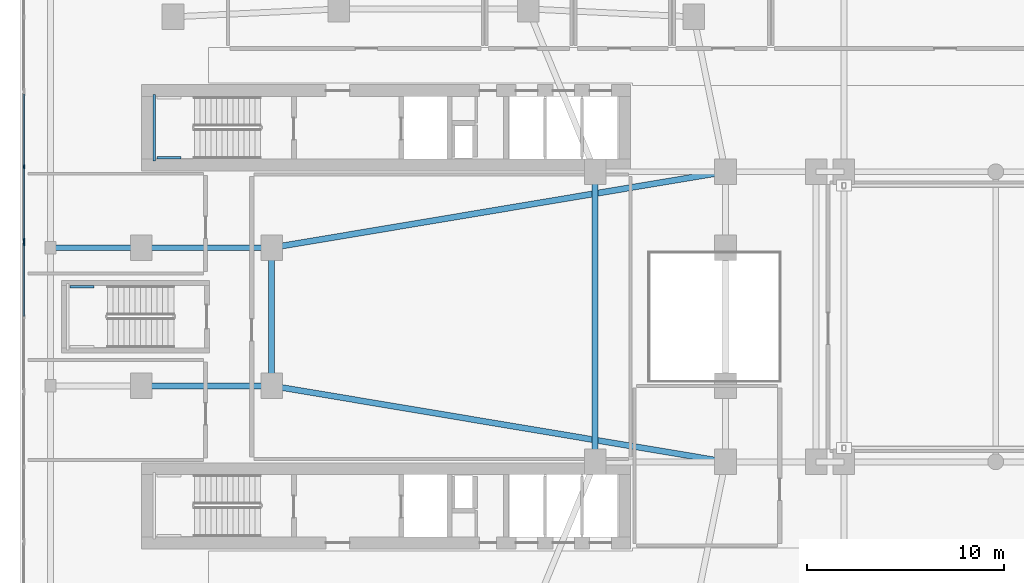
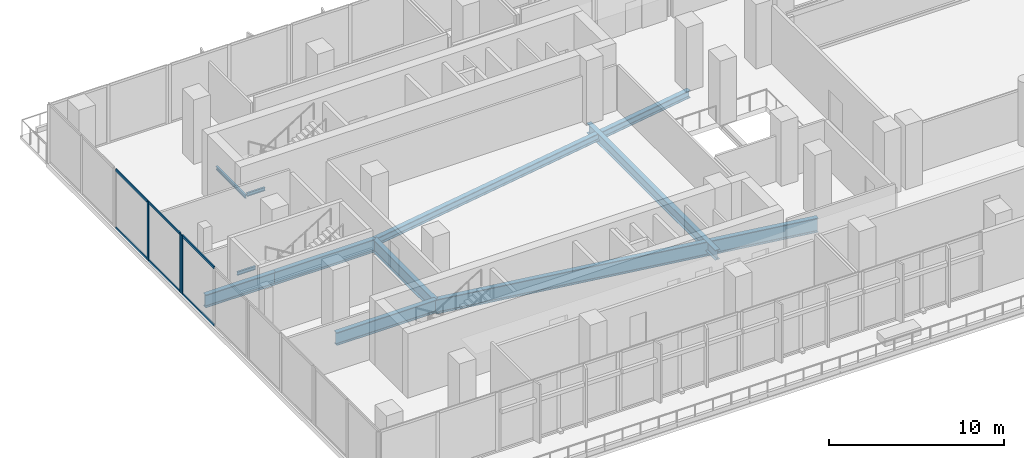
# One storey, part 3 of 31: 10 beams, 9 members, 2 elements without a shape of their own.
"""IFC4 building model written with IfcOpenShell, lengths in metres."""

from ifc_helpers import new_model, si_unit, derived_unit, direction, frame, origin, origin_2d, place, context, subcontext, project, spatial, rectangle, i_section, extrude, material, layer, layer_set, material_profile, profile_set, type_object, element, aggregate, save


model = new_model("IFC4")

# Units and contexts
model_context = context("Model", 3, precision=1e-05, world=origin(), true_north=direction((0.0, 1.0)))
body_context = subcontext(model_context, "Body", "Model", "MODEL_VIEW")
ifc_project = project(units=[si_unit("LENGTHUNIT", "METRE"), si_unit("AREAUNIT", "SQUARE_METRE"), si_unit("VOLUMEUNIT", "CUBIC_METRE"), si_unit("PLANEANGLEUNIT", "RADIAN"), si_unit("MASSUNIT", "GRAM", prefix="KILO"), derived_unit("THERMALTRANSMITTANCEUNIT", [(si_unit("POWERUNIT", "WATT"), 1), (si_unit("LENGTHUNIT", "METRE"), -2), (si_unit("THERMODYNAMICTEMPERATUREUNIT", "KELVIN"), -1)])], contexts=[model_context])

# Site, building, storey
site_placement = place(None, origin())
site = spatial("IfcSite", under=ifc_project, at=site_placement, CompositionType="ELEMENT")
building_placement = place(site_placement, origin())
building = spatial("IfcBuilding", under=site, at=building_placement, Name="Kivonza Crest Hotel", CompositionType="ELEMENT")
storey_placement = place(building_placement, frame((0.0, 0.0, 15.0)))
storey = spatial("IfcBuildingStorey", under=building, at=storey_placement, Name="L03", CompositionType="ELEMENT", Elevation=15.0)

# Beams
ifc_material_1 = material(Name="Steel S355", Category="steel")
ifc_material_profile_1 = material_profile(ifc_material_1, i_section(OverallWidth=0.300048828125, OverallDepth=1.0, WebThickness=0.01904296875, FlangeThickness=0.035888671875, FilletRadius=0.030029296875, at=origin_2d()), Name="HEB 1000")
ifc_profile_set_1 = profile_set([ifc_material_profile_1], Name="Steel S355")
beam_type_1 = type_object("IfcBeamType", Name="BM-HEB1000", PredefinedType="BEAM", material=ifc_profile_set_1)
beam_1_placement = place(storey_placement, frame((12.800048828125, 21.5, -0.85009765625), z_axis=(0.98627710051, -0.16509839796, 0.0), x_axis=(0.16509839796, 0.98627710051, 0.0)))
element("IfcBeam", 1, at=beam_1_placement, inside=storey, type_object=beam_type_1, Name="L03 ballroom long-span girder BAL1", PredefinedType="BEAM", context=body_context, shape_type="SweptSolid", body=[
    extrude(i_section(OverallWidth=0.300048828125, OverallDepth=1.0, WebThickness=0.01904296875, FlangeThickness=0.035888671875, FilletRadius=0.030029296875, at=origin_2d()), origin(), (0.0, 0.0, 1.0), 23.320068359375),
])
ifc_material_profile_2 = material_profile(ifc_material_1, i_section(OverallWidth=0.300048828125, OverallDepth=0.699951171875, WebThickness=0.01708984375, FlangeThickness=0.031982421875, FilletRadius=0.027099609375, at=origin_2d()), Name="HEB 700")
ifc_profile_set_2 = profile_set([ifc_material_profile_2], Name="Steel S355")
beam_type_2 = type_object("IfcBeamType", Name="BM-HEB700", PredefinedType="BEAM", material=ifc_profile_set_2)
beam_2_placement = place(storey_placement, frame((29.199951171875, 17.64990234375, -0.699951171875), z_axis=(0.0, 1.0, 0.0), x_axis=(-1.0, 0.0, 0.0)))
element("IfcBeam", 2, at=beam_2_placement, inside=storey, type_object=beam_type_2, Name="L03 podium girder Y 32", PredefinedType="BEAM", context=body_context, shape_type="SweptSolid", body=[
    extrude(i_section(OverallWidth=0.300048828125, OverallDepth=0.699951171875, WebThickness=0.01708984375, FlangeThickness=0.031982421875, FilletRadius=0.027099609375, at=origin_2d()), origin(), (0.0, 0.0, 1.0), 14.7001953125),
])
ifc_material_profile_3 = material_profile(ifc_material_1, i_section(OverallWidth=0.300048828125, OverallDepth=0.89990234375, WebThickness=0.0185546875, FlangeThickness=0.034912109375, FilletRadius=0.030029296875, at=origin_2d()), Name="HEB 900")
ifc_profile_set_3 = profile_set([ifc_material_profile_3], Name="Steel S355")
beam_type_3 = type_object("IfcBeamType", Name="BM-HEB900", PredefinedType="BEAM", material=ifc_profile_set_3)
for number, where, z_axis, x_axis, name in (
    (3, (6.199951171875, 21.5, -0.800048828125), (1.0, 0.0, 0.0), (0.0, 1.0, 0.0), "Tower T1 L03 primary girder W1-WL1"),
    (4, (6.199951171875, 28.5, -0.800048828125), (1.0, 0.0, 0.0), (0.0, 1.0, 0.0), "Tower T1 L03 primary girder W2-WL2"),
):
    element("IfcBeam", number, at=place(storey_placement, frame(where, z_axis=z_axis, x_axis=x_axis)), inside=storey, type_object=beam_type_3, Name=name, PredefinedType="BEAM", context=body_context, shape_type="SweptSolid", body=[
        extrude(i_section(OverallWidth=0.300048828125, OverallDepth=0.89990234375, WebThickness=0.0185546875, FlangeThickness=0.034912109375, FilletRadius=0.030029296875, at=origin_2d()), origin(), (0.0, 0.0, 1.0), 6.60009765625),
    ])
beam_3_placement = place(storey_placement, frame((12.800048828125, 21.5, -0.800048828125), z_axis=(0.0, 1.0, 0.0), x_axis=(-1.0, 0.0, 0.0)))
element("IfcBeam", 5, at=beam_3_placement, inside=storey, type_object=beam_type_3, Name="Tower T1 L03 primary girder WL1-WL2", PredefinedType="BEAM", context=body_context, shape_type="SweptSolid", body=[
    extrude(i_section(OverallWidth=0.300048828125, OverallDepth=0.89990234375, WebThickness=0.0185546875, FlangeThickness=0.034912109375, FilletRadius=0.030029296875, at=origin_2d()), origin(), (0.0, 0.0, 1.0), 7.0),
])
beam_4_placement = place(storey_placement, frame((1.60009765625, 28.5, -0.800048828125), z_axis=(1.0, 0.0, 0.0), x_axis=(0.0, 1.0, 0.0)))
element("IfcBeam", 6, at=beam_4_placement, inside=storey, type_object=beam_type_3, Name="Tower T1 L03 outer bay girder ZW2", PredefinedType="BEAM", context=body_context, shape_type="SweptSolid", body=[
    extrude(i_section(OverallWidth=0.300048828125, OverallDepth=0.89990234375, WebThickness=0.0185546875, FlangeThickness=0.034912109375, FilletRadius=0.030029296875, at=origin_2d()), origin(), (0.0, 0.0, 1.0), 4.599853515625),
])
ifc_material_profile_4 = material_profile(ifc_material_1, i_section(OverallWidth=0.305908203125, OverallDepth=0.52392578125, WebThickness=0.02099609375, FlangeThickness=0.0400390625, FilletRadius=0.027099609375, at=origin_2d()), Name="HEM 500")
ifc_profile_set_4 = profile_set([ifc_material_profile_4], Name="Steel S355")
beam_type_4 = type_object("IfcBeamType", Name="BM-HEM500", PredefinedType="BEAM", material=ifc_profile_set_4)
beam_5_placement = place(storey_placement, frame((12.800048828125, 28.5, -0.612060546875), z_axis=(0.98627710051, 0.16509839796, 0.0), x_axis=(-0.16509839796, 0.98627710051, 0.0)))
element("IfcBeam", 7, at=beam_5_placement, inside=storey, type_object=beam_type_4, Name="L03 ballroom long-span girder BAL2", PredefinedType="BEAM", context=body_context, shape_type="SweptSolid", body=[
    extrude(i_section(OverallWidth=0.305908203125, OverallDepth=0.52392578125, WebThickness=0.02099609375, FlangeThickness=0.0400390625, FilletRadius=0.027099609375, at=origin_2d()), origin(), (0.0, 0.0, 1.0), 23.320068359375),
])
ifc_material_profile_5 = material_profile(ifc_material_1, i_section(OverallWidth=0.1201171875, OverallDepth=0.239990234375, WebThickness=0.006103515625, FlangeThickness=0.009765625, FilletRadius=0.014892578125, at=origin_2d()), Name="IPE 240")
ifc_profile_set_5 = profile_set([ifc_material_profile_5], Name="Steel S355")
beam_type_5 = type_object("IfcBeamType", Name="BM-LLDG-240", PredefinedType="BEAM", material=ifc_profile_set_5)
beam_6_placement = place(storey_placement, frame((6.860107421875, 32.89990234375, 1.929931640625), z_axis=(0.0, 1.0, 0.0), x_axis=(-1.0, 0.0, 0.0)))
element("IfcBeam", 8, at=beam_6_placement, inside=storey, type_object=beam_type_5, Name="Stair ST-T1-N L03 West landing corbel", PredefinedType="BEAM", context=body_context, shape_type="SweptSolid", body=[
    extrude(i_section(OverallWidth=0.1201171875, OverallDepth=0.239990234375, WebThickness=0.006103515625, FlangeThickness=0.009765625, FilletRadius=0.014892578125, at=origin_2d()), origin(), (0.0, 0.0, 1.0), 3.360107421875),
])
for number, where, z_axis, x_axis, name in (
    (9, (6.989990234375, 33.06005859375, 1.929931640625), (1.0, 0.0, 0.0), (0.0, 1.0, 0.0), "Stair ST-T1-N L03 South landing corbel"),
    (10, (2.590087890625, 26.52001953125, 1.929931640625), (1.0, 0.0, 0.0), (0.0, 1.0, 0.0), "Stair ST-POD-W L03 North landing corbel"),
):
    element("IfcBeam", number, at=place(storey_placement, frame(where, z_axis=z_axis, x_axis=x_axis)), inside=storey, type_object=beam_type_5, Name=name, PredefinedType="BEAM", context=body_context, shape_type="SweptSolid", body=[
        extrude(i_section(OverallWidth=0.1201171875, OverallDepth=0.239990234375, WebThickness=0.006103515625, FlangeThickness=0.009765625, FilletRadius=0.014892578125, at=origin_2d()), origin(), (0.0, 0.0, 1.0), 1.2099609375),
    ])

# Curtain wall, members
ifc_material_2 = material(Name="Anodised bronze aluminium and low-E double glazing", Category="aluminium")
ifc_layer = layer(ifc_material_2, 0.199951171875)
ifc_layer_set = layer_set([ifc_layer], Name="Anodised bronze aluminium and low-E double glazing")
curtain_wall_type = type_object("IfcCurtainWallType", Name="CW-SYS-6", PredefinedType="NOTDEFINED", material=ifc_layer_set)
curtain_wall_1_placement = place(storey_placement, origin())
curtain_wall_1 = element("IfcCurtainWall", 11, at=curtain_wall_1_placement, inside=storey, type_object=curtain_wall_type, Name="L03 unitised curtain wall CW-POD-L03-31", PredefinedType="NOTDEFINED")
ifc_material_3 = material(Name="Anodised bronze aluminium", Category="aluminium")
ifc_material_profile_6 = material_profile(ifc_material_3, rectangle(XDim=0.074951171875, YDim=0.219970703125, at=origin_2d()), Name="CW-M 75x220")
ifc_profile_set_6 = profile_set([ifc_material_profile_6], Name="Anodised bronze aluminium")
member_type_1 = type_object("IfcMemberType", Name="CW-MUL-75x220", PredefinedType="MULLION", material=ifc_profile_set_6)
member_1_placement = place(storey_placement, frame((0.239990234375, 32.60009765625, 0.0), z_axis=(0.0, 0.0, 1.0), x_axis=(1.0, 0.0, 0.0)))
member_1 = element("IfcMember", 12, at=member_1_placement, type_object=member_type_1, Name="CW-6 mullion 2", PredefinedType="MULLION", context=body_context, shape_type="SweptSolid", body=[
    extrude(rectangle(XDim=0.074951171875, YDim=0.219970703125, at=origin_2d()), origin(), (0.0, 0.0, 1.0), 4.10009765625),
])
member_2_placement = place(storey_placement, frame((0.239990234375, 28.87744140625, 0.0), z_axis=(0.0, 0.0, 1.0), x_axis=(1.0, 0.0, 0.0)))
member_2 = element("IfcMember", 13, at=member_2_placement, type_object=member_type_1, Name="CW-6 mullion 3", PredefinedType="MULLION", context=body_context, shape_type="SweptSolid", body=[
    extrude(rectangle(XDim=0.074951171875, YDim=0.219970703125, at=origin_2d()), origin(), (0.0, 0.0, 1.0), 4.10009765625),
])

# Curtain wall, member
curtain_wall_2_placement = place(storey_placement, origin())
curtain_wall_2 = element("IfcCurtainWall", 14, at=curtain_wall_2_placement, inside=storey, type_object=curtain_wall_type, Name="L03 unitised curtain wall CW-POD-L03-32", PredefinedType="NOTDEFINED")
member_3_placement = place(storey_placement, frame((0.239990234375, 28.722412109375, 0.0), z_axis=(0.0, 0.0, 1.0), x_axis=(1.0, 0.0, 0.0)))
member_3 = element("IfcMember", 15, at=member_3_placement, type_object=member_type_1, Name="CW-6 mullion 1", PredefinedType="MULLION", context=body_context, shape_type="SweptSolid", body=[
    extrude(rectangle(XDim=0.074951171875, YDim=0.219970703125, at=origin_2d()), origin(), (0.0, 0.0, 1.0), 4.10009765625),
])

# Member
ifc_material_profile_7 = material_profile(ifc_material_3, rectangle(XDim=0.074951171875, YDim=0.159912109375, at=origin_2d()), Name="CW-T 75x160")
ifc_profile_set_7 = profile_set([ifc_material_profile_7], Name="Anodised bronze aluminium")
member_type_2 = type_object("IfcMemberType", Name="CW-TRN-75x160", PredefinedType="USERDEFINED", material=ifc_profile_set_7)
member_4_placement = place(storey_placement, frame((0.239990234375, 36.284912109375, 0.03759765625), z_axis=(0.0, -1.0, 0.0), x_axis=(1.0, 0.0, 0.0)))
member_4 = element("IfcMember", 16, at=member_4_placement, type_object=member_type_2, Name="CW-6 transom 1.1", ObjectType="TRANSOM", PredefinedType="USERDEFINED", context=body_context, shape_type="SweptSolid", body=[
    extrude(rectangle(XDim=0.074951171875, YDim=0.159912109375, at=origin_2d()), origin(), (0.0, 0.0, 1.0), 3.6474609375),
])

member_5_placement = place(storey_placement, frame((0.239990234375, 36.284912109375, 4.0625), z_axis=(0.0, -1.0, 0.0), x_axis=(1.0, 0.0, 0.0)))
member_5 = element("IfcMember", 17, at=member_5_placement, type_object=member_type_2, Name="CW-6 transom 1.2", ObjectType="TRANSOM", PredefinedType="USERDEFINED", context=body_context, shape_type="SweptSolid", body=[
    extrude(rectangle(XDim=0.074951171875, YDim=0.159912109375, at=origin_2d()), origin(), (0.0, 0.0, 1.0), 3.6474609375),
])

member_6_placement = place(storey_placement, frame((0.239990234375, 32.5625, 0.03759765625), z_axis=(0.0, -1.0, 0.0), x_axis=(1.0, 0.0, 0.0)))
member_6 = element("IfcMember", 18, at=member_6_placement, type_object=member_type_2, Name="CW-6 transom 2.1", ObjectType="TRANSOM", PredefinedType="USERDEFINED", context=body_context, shape_type="SweptSolid", body=[
    extrude(rectangle(XDim=0.074951171875, YDim=0.159912109375, at=origin_2d()), origin(), (0.0, 0.0, 1.0), 3.6474609375),
])

member_7_placement = place(storey_placement, frame((0.239990234375, 32.5625, 4.0625), z_axis=(0.0, -1.0, 0.0), x_axis=(1.0, 0.0, 0.0)))
member_7 = element("IfcMember", 19, at=member_7_placement, type_object=member_type_2, Name="CW-6 transom 2.2", ObjectType="TRANSOM", PredefinedType="USERDEFINED", context=body_context, shape_type="SweptSolid", body=[
    extrude(rectangle(XDim=0.074951171875, YDim=0.159912109375, at=origin_2d()), origin(), (0.0, 0.0, 1.0), 3.6474609375),
])

aggregate(curtain_wall_1, [member_1, member_2, member_4, member_5, member_6, member_7])

member_8_placement = place(storey_placement, frame((0.239990234375, 28.68505859375, 0.03759765625), z_axis=(0.0, -1.0, 0.0), x_axis=(1.0, 0.0, 0.0)))
member_8 = element("IfcMember", 20, at=member_8_placement, type_object=member_type_2, Name="CW-6 transom 1.1", ObjectType="TRANSOM", PredefinedType="USERDEFINED", context=body_context, shape_type="SweptSolid", body=[
    extrude(rectangle(XDim=0.074951171875, YDim=0.159912109375, at=origin_2d()), origin(), (0.0, 0.0, 1.0), 3.6474609375),
])

member_9_placement = place(storey_placement, frame((0.239990234375, 28.68505859375, 4.0625), z_axis=(0.0, -1.0, 0.0), x_axis=(1.0, 0.0, 0.0)))
member_9 = element("IfcMember", 21, at=member_9_placement, type_object=member_type_2, Name="CW-6 transom 1.2", ObjectType="TRANSOM", PredefinedType="USERDEFINED", context=body_context, shape_type="SweptSolid", body=[
    extrude(rectangle(XDim=0.074951171875, YDim=0.159912109375, at=origin_2d()), origin(), (0.0, 0.0, 1.0), 3.6474609375),
])

aggregate(curtain_wall_2, [member_3, member_8, member_9])

save(model, "model.ifc")
